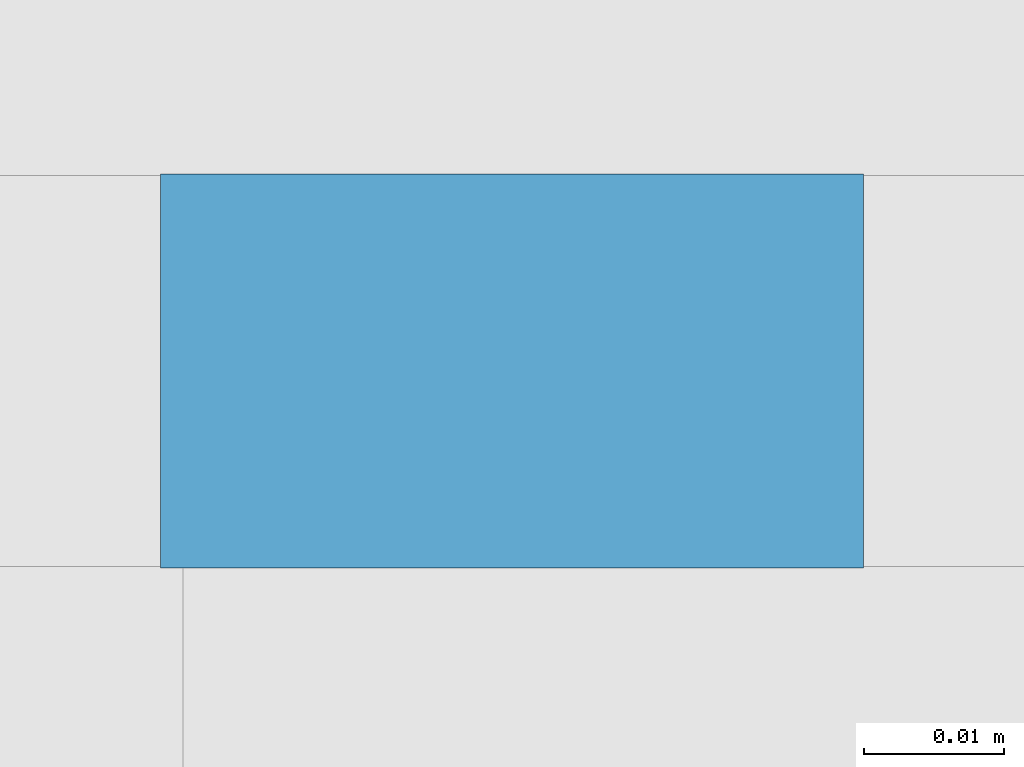
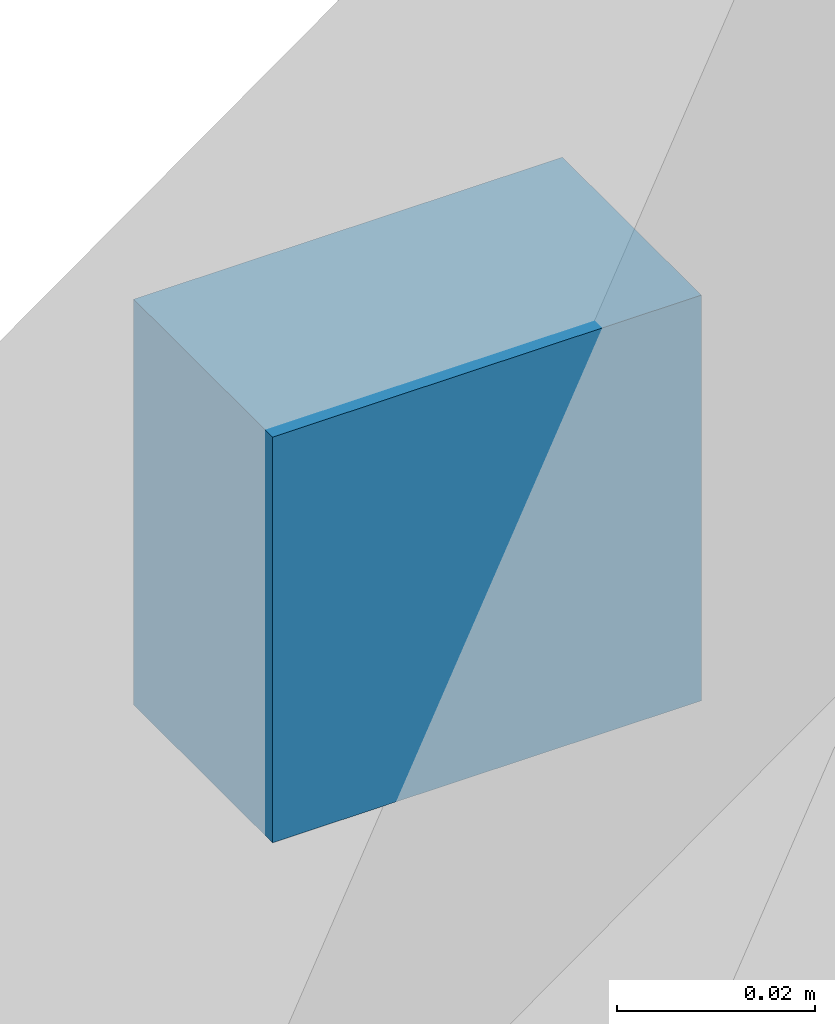
# One storey, part 15 of 19: 1 discrete accessory, 1 element without a shape of its own.
"""IFC4 building model written with IfcOpenShell, lengths in metres."""

from ifc_helpers import new_model, si_unit, direction, frame, origin, origin_2d, place, context, subcontext, project, spatial, rectangle, extrude, material, type_object, element, aggregate, save


model = new_model("IFC4")

# Units and contexts
model_context = context("Model", 3, precision=1e-05, world=origin(), true_north=direction((0.0, 1.0)))
body_context = subcontext(model_context, "Body", "Model", "MODEL_VIEW")
ifc_project = project(units=[si_unit("LENGTHUNIT", "METRE"), si_unit("AREAUNIT", "SQUARE_METRE"), si_unit("VOLUMEUNIT", "CUBIC_METRE"), si_unit("PLANEANGLEUNIT", "RADIAN"), si_unit("MASSUNIT", "GRAM", prefix="KILO")], contexts=[model_context])

# Site, building, storey
site_placement = place(None, origin())
site = spatial("IfcSite", under=ifc_project, at=site_placement, CompositionType="ELEMENT")
building_placement = place(site_placement, origin())
building = spatial("IfcBuilding", under=site, at=building_placement, Name="Tessera Arch", CompositionType="ELEMENT")
storey_placement = place(building_placement, frame((0.0, 0.0, 170.0)))
storey = spatial("IfcBuildingStorey", under=building, at=storey_placement, Name="L40", CompositionType="ELEMENT", Elevation=170.0)

# Curtain wall, discrete accessory
ifc_material = material(Name="CW3 curtain wall")
curtain_wall_type = type_object("IfcCurtainWallType", Name="CW3 curtain wall", PredefinedType="NOTDEFINED", material=ifc_material)
curtain_wall_placement = place(storey_placement, origin())
curtain_wall = element("IfcCurtainWall", 1, at=curtain_wall_placement, inside=storey, type_object=curtain_wall_type, Name="CW3 curtain wall N54.0/2 L40", PredefinedType="NOTDEFINED")
discrete_accessory_placement = place(storey_placement, frame((30.914794921875, 54.0439453125, 1.19189453125), z_axis=(0.0, 0.0, 1.0), x_axis=(-1.0, 0.0, 0.0)))
discrete_accessory = element("IfcDiscreteAccessory", 2, at=discrete_accessory_placement, Name="Glazing bracket", PredefinedType="BRACKET", context=body_context, shape_type="SweptSolid", body=[
    extrude(rectangle(XDim=0.050048828125, YDim=0.028076171875, at=origin_2d()), origin(), (0.0, 0.0, 1.0), 0.050048828125),
])
aggregate(curtain_wall, [discrete_accessory])

save(model, "model.ifc")
